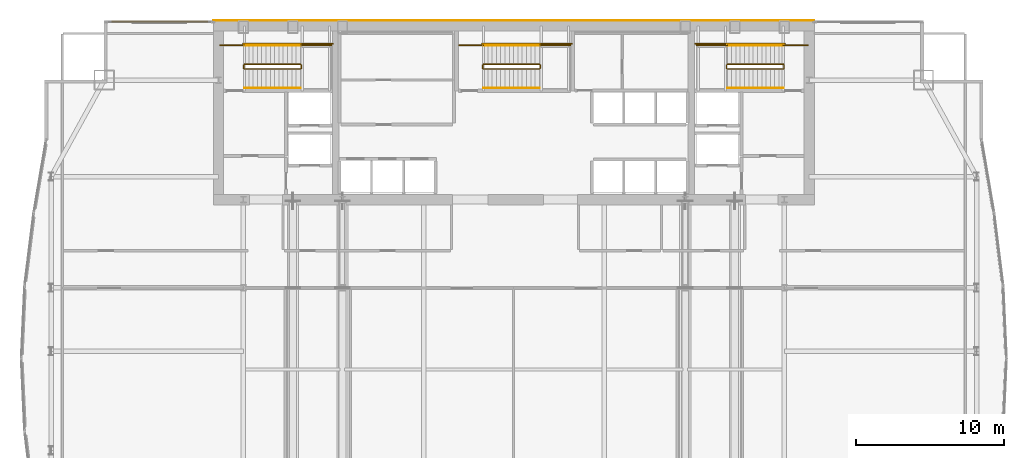
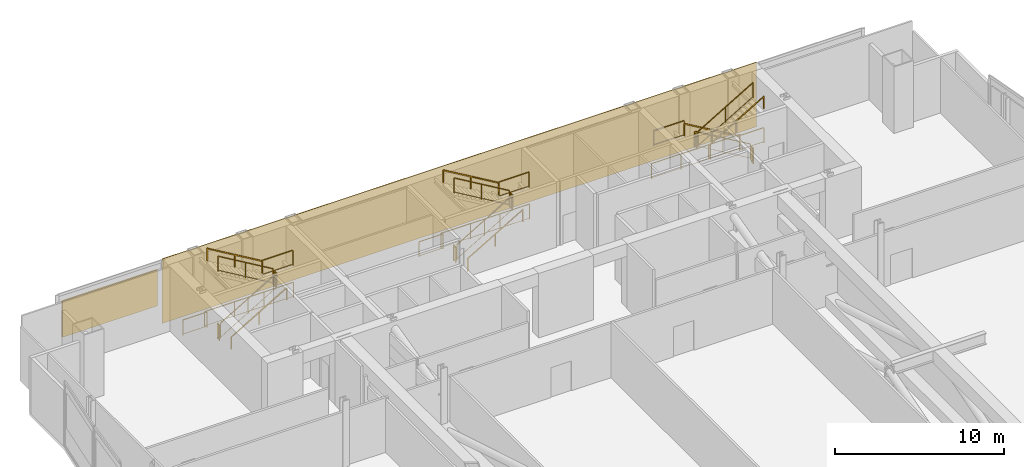
# One storey, part 29 of 30: 27 railings, 1 covering, 1 shading device.
"""IFC4 building model written with IfcOpenShell, lengths in metres."""

from ifc_helpers import new_model, si_unit, direction, frame, origin, origin_2d, place, context, subcontext, project, spatial, polyline, rectangle, outline, extrude, material, layer, layer_set, type_object, element, save


model = new_model("IFC4")

# Units and contexts
model_context = context("Model", 3, precision=1e-05, world=origin(), true_north=direction((0.0, 1.0)))
body_context = subcontext(model_context, "Body", "Model", "MODEL_VIEW")
ifc_project = project(units=[si_unit("LENGTHUNIT", "METRE"), si_unit("AREAUNIT", "SQUARE_METRE"), si_unit("VOLUMEUNIT", "CUBIC_METRE"), si_unit("PLANEANGLEUNIT", "RADIAN"), si_unit("MASSUNIT", "GRAM", prefix="KILO")], contexts=[model_context])

# Site, building, storey
site_placement = place(None, origin())
site = spatial("IfcSite", under=ifc_project, at=site_placement, CompositionType="ELEMENT")
building_placement = place(site_placement, origin())
building = spatial("IfcBuilding", under=site, at=building_placement, Name="Khoronbel Lancet Exchange", CompositionType="ELEMENT")
storey_placement = place(building_placement, frame((0.0, 0.0, 172.199951171875)))
storey = spatial("IfcBuildingStorey", under=building, at=storey_placement, Name="L43", CompositionType="ELEMENT", Elevation=172.199951171875)

# Covering
ifc_material_1 = material(Name="Honed Egyptian Limestone & Bronze Rainscreen", Category="masonry")
ifc_layer_1 = layer(ifc_material_1, 0.050048828125, Name="Honed Egyptian Limestone & Bronze Rainscreen")
ifc_layer_set_1 = layer_set([ifc_layer_1], Name="Honed Egyptian Limestone & Bronze Rainscreen")
covering_type = type_object("IfcCoveringType", Name="COV-CLAD1", PredefinedType="CLADDING", material=ifc_layer_set_1)
covering_placement = place(storey_placement, origin())
element("IfcCovering", 1, at=covering_placement, inside=storey, type_object=covering_type, Name="Level L43 north rear-core stone and bronze rainscreen cladding", PredefinedType="CLADDING", context=body_context, shape_type="SweptSolid", body=[
    extrude(outline(polyline([(16.199951171875, 53.699951171875), (56.699951171875, 53.699951171875), (56.699951171875, 53.75), (16.199951171875, 53.75), (16.199951171875, 53.699951171875)])), origin(), (0.0, 0.0, 1.0), 4.64013671875),
])

# Railings
ifc_material_2 = material(Name="Painted Steel Balustrade", Category="steel")
railing_type_1 = type_object("IfcRailingType", Name="RL-STG110", PredefinedType="GUARDRAIL", material=ifc_material_2)
railing_1_placement = place(storey_placement, frame((18.300048828125, 50.449951171875, 0.17138671875)))
element("IfcRailing", 2, at=railing_1_placement, inside=storey, type_object=railing_type_1, Name="L43 ST1 stair guard 1", PredefinedType="GUARDRAIL", context=body_context, shape_type="SweptSolid", body=[
    extrude(rectangle(XDim=0.048095703125, YDim=0.048095703125, at=origin_2d()), frame((0.0, 0.0, 1.09619140625), z_axis=(0.860824410104, 0.0, 0.508902087802), x_axis=(0.0, 1.0, 0.0)), (0.0, 0.0, 1.0), 4.379638671875),
    extrude(rectangle(XDim=0.02392578125, YDim=0.02392578125, at=origin_2d()), frame((0.0, 0.0, 0.080078125), z_axis=(0.860824410104, 0.0, 0.508902087802), x_axis=(0.0, 1.0, 0.0)), (0.0, 0.0, 1.0), 4.379638671875),
    extrude(rectangle(XDim=0.0419921875, YDim=0.0419921875, at=origin_2d()), origin(), (0.0, 0.0, 1.0), 1.072021484375),
    extrude(rectangle(XDim=0.0419921875, YDim=0.0419921875, at=origin_2d()), frame((1.885009765625, 0.0, 1.1142578125)), (0.0, 0.0, 1.0), 1.072021484375),
    extrude(rectangle(XDim=0.0419921875, YDim=0.0419921875, at=origin_2d()), frame((3.77001953125, 0.0, 2.228759765625)), (0.0, 0.0, 1.0), 1.072021484375),
])
railing_2_placement = place(storey_placement, frame((22.1201171875, 50.5, 2.400146484375)))
element("IfcRailing", 3, at=railing_2_placement, inside=storey, type_object=railing_type_1, Name="L43 ST1 stair guard 2", PredefinedType="GUARDRAIL", context=body_context, shape_type="SweptSolid", body=[
    extrude(rectangle(XDim=0.048095703125, YDim=0.048095703125, at=origin_2d()), frame((0.0, 0.0, 1.09619140625), z_axis=(0.0, 1.0, 0.0), x_axis=(-1.0, 0.0, 0.0)), (0.0, 0.0, 1.0), 0.219970703125),
    extrude(rectangle(XDim=0.02392578125, YDim=0.02392578125, at=origin_2d()), frame((0.0, 0.0, 0.080078125), z_axis=(0.0, 1.0, 0.0), x_axis=(-1.0, 0.0, 0.0)), (0.0, 0.0, 1.0), 0.219970703125),
    extrude(rectangle(XDim=0.0419921875, YDim=0.0419921875, at=origin_2d()), origin(), (0.0, 0.0, 1.0), 1.072021484375),
    extrude(rectangle(XDim=0.0419921875, YDim=0.0419921875, at=origin_2d()), frame((0.0, 0.219970703125, 0.0)), (0.0, 0.0, 1.0), 1.072021484375),
])
railing_3_placement = place(storey_placement, frame((22.070068359375, 52.050048828125, 2.400146484375)))
element("IfcRailing", 4, at=railing_3_placement, inside=storey, type_object=railing_type_1, Name="L43 ST1 stair guard 3", PredefinedType="GUARDRAIL", context=body_context, shape_type="SweptSolid", body=[
    extrude(rectangle(XDim=0.048095703125, YDim=0.048095703125, at=origin_2d()), frame((0.0, 0.0, 1.09619140625), z_axis=(1.0, 0.0, 0.0), x_axis=(0.0, 1.0, 0.0)), (0.0, 0.0, 1.0), 2.079833984375),
    extrude(rectangle(XDim=0.02392578125, YDim=0.02392578125, at=origin_2d()), frame((0.0, 0.0, 0.080078125), z_axis=(1.0, 0.0, 0.0), x_axis=(0.0, 1.0, 0.0)), (0.0, 0.0, 1.0), 2.079833984375),
    extrude(rectangle(XDim=0.0419921875, YDim=0.0419921875, at=origin_2d()), origin(), (0.0, 0.0, 1.0), 1.072021484375),
    extrude(rectangle(XDim=0.0419921875, YDim=0.0419921875, at=origin_2d()), frame((2.079833984375, 0.0, 0.0)), (0.0, 0.0, 1.0), 1.072021484375),
])
railing_4_placement = place(storey_placement, frame((22.070068359375, 50.77001953125, 2.571533203125)))
element("IfcRailing", 5, at=railing_4_placement, inside=storey, type_object=railing_type_1, Name="L43 ST1 stair guard 4", PredefinedType="GUARDRAIL", context=body_context, shape_type="SweptSolid", body=[
    extrude(rectangle(XDim=0.048095703125, YDim=0.048095703125, at=origin_2d()), frame((0.0, 0.0, 1.09619140625), z_axis=(-0.860848830602, 0.0, 0.508860777473), x_axis=(0.0, -1.0, 0.0)), (0.0, 0.0, 1.0), 4.37939453125),
    extrude(rectangle(XDim=0.02392578125, YDim=0.02392578125, at=origin_2d()), frame((0.0, 0.0, 0.080078125), z_axis=(-0.860848830602, 0.0, 0.508860777473), x_axis=(0.0, -1.0, 0.0)), (0.0, 0.0, 1.0), 4.37939453125),
    extrude(rectangle(XDim=0.0419921875, YDim=0.0419921875, at=origin_2d()), origin(), (0.0, 0.0, 1.0), 1.072021484375),
    extrude(rectangle(XDim=0.0419921875, YDim=0.0419921875, at=origin_2d()), frame((-1.885009765625, 0.0, 1.1142578125)), (0.0, 0.0, 1.0), 1.072021484375),
    extrude(rectangle(XDim=0.0419921875, YDim=0.0419921875, at=origin_2d()), frame((-3.77001953125, 0.0, 2.228515625)), (0.0, 0.0, 1.0), 1.072021484375),
])
railing_5_placement = place(storey_placement, frame((18.25, 50.5, 0.0)))
element("IfcRailing", 6, at=railing_5_placement, inside=storey, type_object=railing_type_1, Name="L43 ST1 stair guard 5", PredefinedType="GUARDRAIL", context=body_context, shape_type="SweptSolid", body=[
    extrude(rectangle(XDim=0.048095703125, YDim=0.048095703125, at=origin_2d()), frame((0.0, 0.0, 1.09619140625), z_axis=(0.0, 1.0, 0.0), x_axis=(-1.0, 0.0, 0.0)), (0.0, 0.0, 1.0), 0.219970703125),
    extrude(rectangle(XDim=0.02392578125, YDim=0.02392578125, at=origin_2d()), frame((0.0, 0.0, 0.080078125), z_axis=(0.0, 1.0, 0.0), x_axis=(-1.0, 0.0, 0.0)), (0.0, 0.0, 1.0), 0.219970703125),
    extrude(rectangle(XDim=0.0419921875, YDim=0.0419921875, at=origin_2d()), origin(), (0.0, 0.0, 1.0), 1.072021484375),
    extrude(rectangle(XDim=0.0419921875, YDim=0.0419921875, at=origin_2d()), frame((0.0, 0.219970703125, 0.0)), (0.0, 0.0, 1.0), 1.072021484375),
])
railing_6_placement = place(storey_placement, frame((16.64990234375, 52.050048828125, 0.0)))
element("IfcRailing", 7, at=railing_6_placement, inside=storey, type_object=railing_type_1, Name="L43 ST1 stair guard 6", PredefinedType="GUARDRAIL", context=body_context, shape_type="SweptSolid", body=[
    extrude(rectangle(XDim=0.048095703125, YDim=0.048095703125, at=origin_2d()), frame((0.0, 0.0, 1.09619140625), z_axis=(1.0, 0.0, 0.0), x_axis=(0.0, 1.0, 0.0)), (0.0, 0.0, 1.0), 1.650146484375),
    extrude(rectangle(XDim=0.02392578125, YDim=0.02392578125, at=origin_2d()), frame((0.0, 0.0, 0.080078125), z_axis=(1.0, 0.0, 0.0), x_axis=(0.0, 1.0, 0.0)), (0.0, 0.0, 1.0), 1.650146484375),
    extrude(rectangle(XDim=0.0419921875, YDim=0.0419921875, at=origin_2d()), origin(), (0.0, 0.0, 1.0), 1.072021484375),
    extrude(rectangle(XDim=0.0419921875, YDim=0.0419921875, at=origin_2d()), frame((1.650146484375, 0.0, 0.0)), (0.0, 0.0, 1.0), 1.072021484375),
])
railing_7_placement = place(storey_placement, frame((18.199951171875, 52.14990234375, 0.0)))
element("IfcRailing", 8, at=railing_7_placement, inside=storey, type_object=railing_type_1, Name="L43 ST1 stair guard 7", PredefinedType="GUARDRAIL", context=body_context, shape_type="SweptSolid", body=[
    extrude(rectangle(XDim=0.048095703125, YDim=0.048095703125, at=origin_2d()), frame((0.0, 0.0, 1.09619140625), z_axis=(1.0, 0.0, 0.0), x_axis=(0.0, 1.0, 0.0)), (0.0, 0.0, 1.0), 6.050048828125),
    extrude(rectangle(XDim=0.02392578125, YDim=0.02392578125, at=origin_2d()), frame((0.0, 0.0, 0.080078125), z_axis=(1.0, 0.0, 0.0), x_axis=(0.0, 1.0, 0.0)), (0.0, 0.0, 1.0), 6.050048828125),
    extrude(rectangle(XDim=0.0419921875, YDim=0.0419921875, at=origin_2d()), origin(), (0.0, 0.0, 1.0), 1.072021484375),
    extrude(rectangle(XDim=0.0419921875, YDim=0.0419921875, at=origin_2d()), frame((2.0166015625, 0.0, 0.0)), (0.0, 0.0, 1.0), 1.072021484375),
    extrude(rectangle(XDim=0.0419921875, YDim=0.0419921875, at=origin_2d()), frame((4.033447265625, 0.0, 0.0)), (0.0, 0.0, 1.0), 1.072021484375),
    extrude(rectangle(XDim=0.0419921875, YDim=0.0419921875, at=origin_2d()), frame((6.050048828125, 0.0, 0.0)), (0.0, 0.0, 1.0), 1.072021484375),
])
railing_8_placement = place(storey_placement, frame((54.60009765625, 50.77001953125, 0.17138671875)))
element("IfcRailing", 9, at=railing_8_placement, inside=storey, type_object=railing_type_1, Name="L43 ST2 stair guard 1", PredefinedType="GUARDRAIL", context=body_context, shape_type="SweptSolid", body=[
    extrude(rectangle(XDim=0.048095703125, YDim=0.048095703125, at=origin_2d()), frame((0.0, 0.0, 1.09619140625), z_axis=(-0.860824410104, 0.0, 0.508902087802), x_axis=(0.0, -1.0, 0.0)), (0.0, 0.0, 1.0), 4.379638671875),
    extrude(rectangle(XDim=0.02392578125, YDim=0.02392578125, at=origin_2d()), frame((0.0, 0.0, 0.080078125), z_axis=(-0.860824410104, 0.0, 0.508902087802), x_axis=(0.0, -1.0, 0.0)), (0.0, 0.0, 1.0), 4.379638671875),
    extrude(rectangle(XDim=0.0419921875, YDim=0.0419921875, at=origin_2d()), origin(), (0.0, 0.0, 1.0), 1.072021484375),
    extrude(rectangle(XDim=0.0419921875, YDim=0.0419921875, at=origin_2d()), frame((-1.885009765625, 0.0, 1.1142578125)), (0.0, 0.0, 1.0), 1.072021484375),
    extrude(rectangle(XDim=0.0419921875, YDim=0.0419921875, at=origin_2d()), frame((-3.77001953125, 0.0, 2.228759765625)), (0.0, 0.0, 1.0), 1.072021484375),
])
railing_9_placement = place(storey_placement, frame((50.780029296875, 50.719970703125, 2.400146484375)))
element("IfcRailing", 10, at=railing_9_placement, inside=storey, type_object=railing_type_1, Name="L43 ST2 stair guard 2", PredefinedType="GUARDRAIL", context=body_context, shape_type="SweptSolid", body=[
    extrude(rectangle(XDim=0.048095703125, YDim=0.048095703125, at=origin_2d()), frame((0.0, 0.0, 1.09619140625), z_axis=(0.0, -1.0, 0.0), x_axis=(1.0, 0.0, 0.0)), (0.0, 0.0, 1.0), 0.219970703125),
    extrude(rectangle(XDim=0.02392578125, YDim=0.02392578125, at=origin_2d()), frame((0.0, 0.0, 0.080078125), z_axis=(0.0, -1.0, 0.0), x_axis=(1.0, 0.0, 0.0)), (0.0, 0.0, 1.0), 0.219970703125),
    extrude(rectangle(XDim=0.0419921875, YDim=0.0419921875, at=origin_2d()), origin(), (0.0, 0.0, 1.0), 1.072021484375),
    extrude(rectangle(XDim=0.0419921875, YDim=0.0419921875, at=origin_2d()), frame((0.0, -0.219970703125, 0.0)), (0.0, 0.0, 1.0), 1.072021484375),
])
railing_10_placement = place(storey_placement, frame((50.830078125, 52.050048828125, 2.400146484375)))
element("IfcRailing", 11, at=railing_10_placement, inside=storey, type_object=railing_type_1, Name="L43 ST2 stair guard 3", PredefinedType="GUARDRAIL", context=body_context, shape_type="SweptSolid", body=[
    extrude(rectangle(XDim=0.048095703125, YDim=0.048095703125, at=origin_2d()), frame((0.0, 0.0, 1.09619140625), z_axis=(-1.0, 0.0, 0.0), x_axis=(0.0, -1.0, 0.0)), (0.0, 0.0, 1.0), 2.080078125),
    extrude(rectangle(XDim=0.02392578125, YDim=0.02392578125, at=origin_2d()), frame((0.0, 0.0, 0.080078125), z_axis=(-1.0, 0.0, 0.0), x_axis=(0.0, -1.0, 0.0)), (0.0, 0.0, 1.0), 2.080078125),
    extrude(rectangle(XDim=0.0419921875, YDim=0.0419921875, at=origin_2d()), origin(), (0.0, 0.0, 1.0), 1.072021484375),
    extrude(rectangle(XDim=0.0419921875, YDim=0.0419921875, at=origin_2d()), frame((-2.080078125, 0.0, 0.0)), (0.0, 0.0, 1.0), 1.072021484375),
])
railing_11_placement = place(storey_placement, frame((50.830078125, 50.449951171875, 2.571533203125)))
element("IfcRailing", 12, at=railing_11_placement, inside=storey, type_object=railing_type_1, Name="L43 ST2 stair guard 4", PredefinedType="GUARDRAIL", context=body_context, shape_type="SweptSolid", body=[
    extrude(rectangle(XDim=0.048095703125, YDim=0.048095703125, at=origin_2d()), frame((0.0, 0.0, 1.09619140625), z_axis=(0.860848830602, 0.0, 0.508860777473), x_axis=(0.0, 1.0, 0.0)), (0.0, 0.0, 1.0), 4.37939453125),
    extrude(rectangle(XDim=0.02392578125, YDim=0.02392578125, at=origin_2d()), frame((0.0, 0.0, 0.080078125), z_axis=(0.860848830602, 0.0, 0.508860777473), x_axis=(0.0, 1.0, 0.0)), (0.0, 0.0, 1.0), 4.37939453125),
    extrude(rectangle(XDim=0.0419921875, YDim=0.0419921875, at=origin_2d()), origin(), (0.0, 0.0, 1.0), 1.072021484375),
    extrude(rectangle(XDim=0.0419921875, YDim=0.0419921875, at=origin_2d()), frame((1.885009765625, 0.0, 1.1142578125)), (0.0, 0.0, 1.0), 1.072021484375),
    extrude(rectangle(XDim=0.0419921875, YDim=0.0419921875, at=origin_2d()), frame((3.77001953125, 0.0, 2.228515625)), (0.0, 0.0, 1.0), 1.072021484375),
])
railing_12_placement = place(storey_placement, frame((54.64990234375, 50.719970703125, 0.0)))
element("IfcRailing", 13, at=railing_12_placement, inside=storey, type_object=railing_type_1, Name="L43 ST2 stair guard 5", PredefinedType="GUARDRAIL", context=body_context, shape_type="SweptSolid", body=[
    extrude(rectangle(XDim=0.048095703125, YDim=0.048095703125, at=origin_2d()), frame((0.0, 0.0, 1.09619140625), z_axis=(0.0, -1.0, 0.0), x_axis=(1.0, 0.0, 0.0)), (0.0, 0.0, 1.0), 0.219970703125),
    extrude(rectangle(XDim=0.02392578125, YDim=0.02392578125, at=origin_2d()), frame((0.0, 0.0, 0.080078125), z_axis=(0.0, -1.0, 0.0), x_axis=(1.0, 0.0, 0.0)), (0.0, 0.0, 1.0), 0.219970703125),
    extrude(rectangle(XDim=0.0419921875, YDim=0.0419921875, at=origin_2d()), origin(), (0.0, 0.0, 1.0), 1.072021484375),
    extrude(rectangle(XDim=0.0419921875, YDim=0.0419921875, at=origin_2d()), frame((0.0, -0.219970703125, 0.0)), (0.0, 0.0, 1.0), 1.072021484375),
])
railing_13_placement = place(storey_placement, frame((56.25, 52.050048828125, 0.0)))
element("IfcRailing", 14, at=railing_13_placement, inside=storey, type_object=railing_type_1, Name="L43 ST2 stair guard 6", PredefinedType="GUARDRAIL", context=body_context, shape_type="SweptSolid", body=[
    extrude(rectangle(XDim=0.048095703125, YDim=0.048095703125, at=origin_2d()), frame((0.0, 0.0, 1.09619140625), z_axis=(-1.0, 0.0, 0.0), x_axis=(0.0, -1.0, 0.0)), (0.0, 0.0, 1.0), 1.64990234375),
    extrude(rectangle(XDim=0.02392578125, YDim=0.02392578125, at=origin_2d()), frame((0.0, 0.0, 0.080078125), z_axis=(-1.0, 0.0, 0.0), x_axis=(0.0, -1.0, 0.0)), (0.0, 0.0, 1.0), 1.64990234375),
    extrude(rectangle(XDim=0.0419921875, YDim=0.0419921875, at=origin_2d()), origin(), (0.0, 0.0, 1.0), 1.072021484375),
    extrude(rectangle(XDim=0.0419921875, YDim=0.0419921875, at=origin_2d()), frame((-1.64990234375, 0.0, 0.0)), (0.0, 0.0, 1.0), 1.072021484375),
])
railing_14_placement = place(storey_placement, frame((54.699951171875, 52.14990234375, 0.0)))
element("IfcRailing", 15, at=railing_14_placement, inside=storey, type_object=railing_type_1, Name="L43 ST2 stair guard 7", PredefinedType="GUARDRAIL", context=body_context, shape_type="SweptSolid", body=[
    extrude(rectangle(XDim=0.048095703125, YDim=0.048095703125, at=origin_2d()), frame((0.0, 0.0, 1.09619140625), z_axis=(-1.0, 0.0, 0.0), x_axis=(0.0, -1.0, 0.0)), (0.0, 0.0, 1.0), 6.050048828125),
    extrude(rectangle(XDim=0.02392578125, YDim=0.02392578125, at=origin_2d()), frame((0.0, 0.0, 0.080078125), z_axis=(-1.0, 0.0, 0.0), x_axis=(0.0, -1.0, 0.0)), (0.0, 0.0, 1.0), 6.050048828125),
    extrude(rectangle(XDim=0.0419921875, YDim=0.0419921875, at=origin_2d()), origin(), (0.0, 0.0, 1.0), 1.072021484375),
    extrude(rectangle(XDim=0.0419921875, YDim=0.0419921875, at=origin_2d()), frame((-2.0166015625, 0.0, 0.0)), (0.0, 0.0, 1.0), 1.072021484375),
    extrude(rectangle(XDim=0.0419921875, YDim=0.0419921875, at=origin_2d()), frame((-4.033447265625, 0.0, 0.0)), (0.0, 0.0, 1.0), 1.072021484375),
    extrude(rectangle(XDim=0.0419921875, YDim=0.0419921875, at=origin_2d()), frame((-6.050048828125, 0.0, 0.0)), (0.0, 0.0, 1.0), 1.072021484375),
])
railing_15_placement = place(storey_placement, frame((34.39990234375, 50.449951171875, 0.17138671875)))
element("IfcRailing", 16, at=railing_15_placement, inside=storey, type_object=railing_type_1, Name="L43 ST3 stair guard 1", PredefinedType="GUARDRAIL", context=body_context, shape_type="SweptSolid", body=[
    extrude(rectangle(XDim=0.048095703125, YDim=0.048095703125, at=origin_2d()), frame((0.0, 0.0, 1.09619140625), z_axis=(0.860824410104, 0.0, 0.508902087802), x_axis=(0.0, 1.0, 0.0)), (0.0, 0.0, 1.0), 4.379638671875),
    extrude(rectangle(XDim=0.02392578125, YDim=0.02392578125, at=origin_2d()), frame((0.0, 0.0, 0.080078125), z_axis=(0.860824410104, 0.0, 0.508902087802), x_axis=(0.0, 1.0, 0.0)), (0.0, 0.0, 1.0), 4.379638671875),
    extrude(rectangle(XDim=0.0419921875, YDim=0.0419921875, at=origin_2d()), origin(), (0.0, 0.0, 1.0), 1.072021484375),
    extrude(rectangle(XDim=0.0419921875, YDim=0.0419921875, at=origin_2d()), frame((1.885009765625, 0.0, 1.1142578125)), (0.0, 0.0, 1.0), 1.072021484375),
    extrude(rectangle(XDim=0.0419921875, YDim=0.0419921875, at=origin_2d()), frame((3.77001953125, 0.0, 2.228759765625)), (0.0, 0.0, 1.0), 1.072021484375),
])
railing_16_placement = place(storey_placement, frame((38.219970703125, 50.5, 2.400146484375)))
element("IfcRailing", 17, at=railing_16_placement, inside=storey, type_object=railing_type_1, Name="L43 ST3 stair guard 2", PredefinedType="GUARDRAIL", context=body_context, shape_type="SweptSolid", body=[
    extrude(rectangle(XDim=0.048095703125, YDim=0.048095703125, at=origin_2d()), frame((0.0, 0.0, 1.09619140625), z_axis=(0.0, 1.0, 0.0), x_axis=(-1.0, 0.0, 0.0)), (0.0, 0.0, 1.0), 0.219970703125),
    extrude(rectangle(XDim=0.02392578125, YDim=0.02392578125, at=origin_2d()), frame((0.0, 0.0, 0.080078125), z_axis=(0.0, 1.0, 0.0), x_axis=(-1.0, 0.0, 0.0)), (0.0, 0.0, 1.0), 0.219970703125),
    extrude(rectangle(XDim=0.0419921875, YDim=0.0419921875, at=origin_2d()), origin(), (0.0, 0.0, 1.0), 1.072021484375),
    extrude(rectangle(XDim=0.0419921875, YDim=0.0419921875, at=origin_2d()), frame((0.0, 0.219970703125, 0.0)), (0.0, 0.0, 1.0), 1.072021484375),
])
railing_17_placement = place(storey_placement, frame((38.169921875, 52.050048828125, 2.400146484375)))
element("IfcRailing", 18, at=railing_17_placement, inside=storey, type_object=railing_type_1, Name="L43 ST3 stair guard 3", PredefinedType="GUARDRAIL", context=body_context, shape_type="SweptSolid", body=[
    extrude(rectangle(XDim=0.048095703125, YDim=0.048095703125, at=origin_2d()), frame((0.0, 0.0, 1.09619140625), z_axis=(1.0, 0.0, 0.0), x_axis=(0.0, 1.0, 0.0)), (0.0, 0.0, 1.0), 2.080078125),
    extrude(rectangle(XDim=0.02392578125, YDim=0.02392578125, at=origin_2d()), frame((0.0, 0.0, 0.080078125), z_axis=(1.0, 0.0, 0.0), x_axis=(0.0, 1.0, 0.0)), (0.0, 0.0, 1.0), 2.080078125),
    extrude(rectangle(XDim=0.0419921875, YDim=0.0419921875, at=origin_2d()), origin(), (0.0, 0.0, 1.0), 1.072021484375),
    extrude(rectangle(XDim=0.0419921875, YDim=0.0419921875, at=origin_2d()), frame((2.080078125, 0.0, 0.0)), (0.0, 0.0, 1.0), 1.072021484375),
])
railing_18_placement = place(storey_placement, frame((38.169921875, 50.77001953125, 2.571533203125)))
element("IfcRailing", 19, at=railing_18_placement, inside=storey, type_object=railing_type_1, Name="L43 ST3 stair guard 4", PredefinedType="GUARDRAIL", context=body_context, shape_type="SweptSolid", body=[
    extrude(rectangle(XDim=0.048095703125, YDim=0.048095703125, at=origin_2d()), frame((0.0, 0.0, 1.09619140625), z_axis=(-0.860848830602, 0.0, 0.508860777473), x_axis=(0.0, -1.0, 0.0)), (0.0, 0.0, 1.0), 4.37939453125),
    extrude(rectangle(XDim=0.02392578125, YDim=0.02392578125, at=origin_2d()), frame((0.0, 0.0, 0.080078125), z_axis=(-0.860848830602, 0.0, 0.508860777473), x_axis=(0.0, -1.0, 0.0)), (0.0, 0.0, 1.0), 4.37939453125),
    extrude(rectangle(XDim=0.0419921875, YDim=0.0419921875, at=origin_2d()), origin(), (0.0, 0.0, 1.0), 1.072021484375),
    extrude(rectangle(XDim=0.0419921875, YDim=0.0419921875, at=origin_2d()), frame((-1.885009765625, 0.0, 1.1142578125)), (0.0, 0.0, 1.0), 1.072021484375),
    extrude(rectangle(XDim=0.0419921875, YDim=0.0419921875, at=origin_2d()), frame((-3.77001953125, 0.0, 2.228515625)), (0.0, 0.0, 1.0), 1.072021484375),
])
railing_19_placement = place(storey_placement, frame((34.35009765625, 50.5, 0.0)))
element("IfcRailing", 20, at=railing_19_placement, inside=storey, type_object=railing_type_1, Name="L43 ST3 stair guard 5", PredefinedType="GUARDRAIL", context=body_context, shape_type="SweptSolid", body=[
    extrude(rectangle(XDim=0.048095703125, YDim=0.048095703125, at=origin_2d()), frame((0.0, 0.0, 1.09619140625), z_axis=(0.0, 1.0, 0.0), x_axis=(-1.0, 0.0, 0.0)), (0.0, 0.0, 1.0), 0.219970703125),
    extrude(rectangle(XDim=0.02392578125, YDim=0.02392578125, at=origin_2d()), frame((0.0, 0.0, 0.080078125), z_axis=(0.0, 1.0, 0.0), x_axis=(-1.0, 0.0, 0.0)), (0.0, 0.0, 1.0), 0.219970703125),
    extrude(rectangle(XDim=0.0419921875, YDim=0.0419921875, at=origin_2d()), origin(), (0.0, 0.0, 1.0), 1.072021484375),
    extrude(rectangle(XDim=0.0419921875, YDim=0.0419921875, at=origin_2d()), frame((0.0, 0.219970703125, 0.0)), (0.0, 0.0, 1.0), 1.072021484375),
])
railing_20_placement = place(storey_placement, frame((32.75, 52.050048828125, 0.0)))
element("IfcRailing", 21, at=railing_20_placement, inside=storey, type_object=railing_type_1, Name="L43 ST3 stair guard 6", PredefinedType="GUARDRAIL", context=body_context, shape_type="SweptSolid", body=[
    extrude(rectangle(XDim=0.048095703125, YDim=0.048095703125, at=origin_2d()), frame((0.0, 0.0, 1.09619140625), z_axis=(1.0, 0.0, 0.0), x_axis=(0.0, 1.0, 0.0)), (0.0, 0.0, 1.0), 1.64990234375),
    extrude(rectangle(XDim=0.02392578125, YDim=0.02392578125, at=origin_2d()), frame((0.0, 0.0, 0.080078125), z_axis=(1.0, 0.0, 0.0), x_axis=(0.0, 1.0, 0.0)), (0.0, 0.0, 1.0), 1.64990234375),
    extrude(rectangle(XDim=0.0419921875, YDim=0.0419921875, at=origin_2d()), origin(), (0.0, 0.0, 1.0), 1.072021484375),
    extrude(rectangle(XDim=0.0419921875, YDim=0.0419921875, at=origin_2d()), frame((1.64990234375, 0.0, 0.0)), (0.0, 0.0, 1.0), 1.072021484375),
])
railing_21_placement = place(storey_placement, frame((34.300048828125, 52.14990234375, 0.0)))
element("IfcRailing", 22, at=railing_21_placement, inside=storey, type_object=railing_type_1, Name="L43 ST3 stair guard 7", PredefinedType="GUARDRAIL", context=body_context, shape_type="SweptSolid", body=[
    extrude(rectangle(XDim=0.048095703125, YDim=0.048095703125, at=origin_2d()), frame((0.0, 0.0, 1.09619140625), z_axis=(1.0, 0.0, 0.0), x_axis=(0.0, 1.0, 0.0)), (0.0, 0.0, 1.0), 6.050048828125),
    extrude(rectangle(XDim=0.02392578125, YDim=0.02392578125, at=origin_2d()), frame((0.0, 0.0, 0.080078125), z_axis=(1.0, 0.0, 0.0), x_axis=(0.0, 1.0, 0.0)), (0.0, 0.0, 1.0), 6.050048828125),
    extrude(rectangle(XDim=0.0419921875, YDim=0.0419921875, at=origin_2d()), origin(), (0.0, 0.0, 1.0), 1.072021484375),
    extrude(rectangle(XDim=0.0419921875, YDim=0.0419921875, at=origin_2d()), frame((2.0166015625, 0.0, 0.0)), (0.0, 0.0, 1.0), 1.072021484375),
    extrude(rectangle(XDim=0.0419921875, YDim=0.0419921875, at=origin_2d()), frame((4.033447265625, 0.0, 0.0)), (0.0, 0.0, 1.0), 1.072021484375),
    extrude(rectangle(XDim=0.0419921875, YDim=0.0419921875, at=origin_2d()), frame((6.050048828125, 0.0, 0.0)), (0.0, 0.0, 1.0), 1.072021484375),
])
ifc_material_3 = material(Name="Brushed Stainless Steel 316", Category="steel")
railing_type_2 = type_object("IfcRailingType", Name="RL-STH92", PredefinedType="HANDRAIL", material=ifc_material_3)
railing_22_placement = place(storey_placement, frame((18.300048828125, 49.169921875, 0.17138671875)))
element("IfcRailing", 23, at=railing_22_placement, inside=storey, type_object=railing_type_2, Name="L43 ST1 stair handrail 1", PredefinedType="HANDRAIL", context=body_context, shape_type="SweptSolid", body=[
    extrude(rectangle(XDim=0.048095703125, YDim=0.048095703125, at=origin_2d()), frame((0.0, 0.0, 0.8759765625), z_axis=(0.860824410104, 0.0, 0.508902087802), x_axis=(0.0, 1.0, 0.0)), (0.0, 0.0, 1.0), 4.379638671875),
    extrude(rectangle(XDim=0.0419921875, YDim=0.0419921875, at=origin_2d()), origin(), (0.0, 0.0, 1.0), 0.851806640625),
    extrude(rectangle(XDim=0.0419921875, YDim=0.0419921875, at=origin_2d()), frame((1.885009765625, 0.0, 1.1142578125)), (0.0, 0.0, 1.0), 0.851806640625),
    extrude(rectangle(XDim=0.0419921875, YDim=0.0419921875, at=origin_2d()), frame((3.77001953125, 0.0, 2.228759765625)), (0.0, 0.0, 1.0), 0.851806640625),
])
railing_23_placement = place(storey_placement, frame((22.070068359375, 52.050048828125, 2.571533203125)))
element("IfcRailing", 24, at=railing_23_placement, inside=storey, type_object=railing_type_2, Name="L43 ST1 stair handrail 2", PredefinedType="HANDRAIL", context=body_context, shape_type="SweptSolid", body=[
    extrude(rectangle(XDim=0.048095703125, YDim=0.048095703125, at=origin_2d()), frame((0.0, 0.0, 0.8759765625), z_axis=(-0.860848830602, 0.0, 0.508860777473), x_axis=(0.0, -1.0, 0.0)), (0.0, 0.0, 1.0), 4.37939453125),
    extrude(rectangle(XDim=0.0419921875, YDim=0.0419921875, at=origin_2d()), origin(), (0.0, 0.0, 1.0), 0.851806640625),
    extrude(rectangle(XDim=0.0419921875, YDim=0.0419921875, at=origin_2d()), frame((-1.885009765625, 0.0, 1.1142578125)), (0.0, 0.0, 1.0), 0.851806640625),
    extrude(rectangle(XDim=0.0419921875, YDim=0.0419921875, at=origin_2d()), frame((-3.77001953125, 0.0, 2.228515625)), (0.0, 0.0, 1.0), 0.851806640625),
])
railing_24_placement = place(storey_placement, frame((54.60009765625, 52.050048828125, 0.17138671875)))
element("IfcRailing", 25, at=railing_24_placement, inside=storey, type_object=railing_type_2, Name="L43 ST2 stair handrail 1", PredefinedType="HANDRAIL", context=body_context, shape_type="SweptSolid", body=[
    extrude(rectangle(XDim=0.048095703125, YDim=0.048095703125, at=origin_2d()), frame((0.0, 0.0, 0.8759765625), z_axis=(-0.860824410104, 0.0, 0.508902087802), x_axis=(0.0, -1.0, 0.0)), (0.0, 0.0, 1.0), 4.379638671875),
    extrude(rectangle(XDim=0.0419921875, YDim=0.0419921875, at=origin_2d()), origin(), (0.0, 0.0, 1.0), 0.851806640625),
    extrude(rectangle(XDim=0.0419921875, YDim=0.0419921875, at=origin_2d()), frame((-1.885009765625, 0.0, 1.1142578125)), (0.0, 0.0, 1.0), 0.851806640625),
    extrude(rectangle(XDim=0.0419921875, YDim=0.0419921875, at=origin_2d()), frame((-3.77001953125, 0.0, 2.228759765625)), (0.0, 0.0, 1.0), 0.851806640625),
])
railing_25_placement = place(storey_placement, frame((50.830078125, 49.169921875, 2.571533203125)))
element("IfcRailing", 26, at=railing_25_placement, inside=storey, type_object=railing_type_2, Name="L43 ST2 stair handrail 2", PredefinedType="HANDRAIL", context=body_context, shape_type="SweptSolid", body=[
    extrude(rectangle(XDim=0.048095703125, YDim=0.048095703125, at=origin_2d()), frame((0.0, 0.0, 0.8759765625), z_axis=(0.860848830602, 0.0, 0.508860777473), x_axis=(0.0, 1.0, 0.0)), (0.0, 0.0, 1.0), 4.37939453125),
    extrude(rectangle(XDim=0.0419921875, YDim=0.0419921875, at=origin_2d()), origin(), (0.0, 0.0, 1.0), 0.851806640625),
    extrude(rectangle(XDim=0.0419921875, YDim=0.0419921875, at=origin_2d()), frame((1.885009765625, 0.0, 1.1142578125)), (0.0, 0.0, 1.0), 0.851806640625),
    extrude(rectangle(XDim=0.0419921875, YDim=0.0419921875, at=origin_2d()), frame((3.77001953125, 0.0, 2.228515625)), (0.0, 0.0, 1.0), 0.851806640625),
])
railing_26_placement = place(storey_placement, frame((34.39990234375, 49.169921875, 0.17138671875)))
element("IfcRailing", 27, at=railing_26_placement, inside=storey, type_object=railing_type_2, Name="L43 ST3 stair handrail 1", PredefinedType="HANDRAIL", context=body_context, shape_type="SweptSolid", body=[
    extrude(rectangle(XDim=0.048095703125, YDim=0.048095703125, at=origin_2d()), frame((0.0, 0.0, 0.8759765625), z_axis=(0.860824410104, 0.0, 0.508902087802), x_axis=(0.0, 1.0, 0.0)), (0.0, 0.0, 1.0), 4.379638671875),
    extrude(rectangle(XDim=0.0419921875, YDim=0.0419921875, at=origin_2d()), origin(), (0.0, 0.0, 1.0), 0.851806640625),
    extrude(rectangle(XDim=0.0419921875, YDim=0.0419921875, at=origin_2d()), frame((1.885009765625, 0.0, 1.1142578125)), (0.0, 0.0, 1.0), 0.851806640625),
    extrude(rectangle(XDim=0.0419921875, YDim=0.0419921875, at=origin_2d()), frame((3.77001953125, 0.0, 2.228759765625)), (0.0, 0.0, 1.0), 0.851806640625),
])
railing_27_placement = place(storey_placement, frame((38.169921875, 52.050048828125, 2.571533203125)))
element("IfcRailing", 28, at=railing_27_placement, inside=storey, type_object=railing_type_2, Name="L43 ST3 stair handrail 2", PredefinedType="HANDRAIL", context=body_context, shape_type="SweptSolid", body=[
    extrude(rectangle(XDim=0.048095703125, YDim=0.048095703125, at=origin_2d()), frame((0.0, 0.0, 0.8759765625), z_axis=(-0.860848830602, 0.0, 0.508860777473), x_axis=(0.0, -1.0, 0.0)), (0.0, 0.0, 1.0), 4.37939453125),
    extrude(rectangle(XDim=0.0419921875, YDim=0.0419921875, at=origin_2d()), origin(), (0.0, 0.0, 1.0), 0.851806640625),
    extrude(rectangle(XDim=0.0419921875, YDim=0.0419921875, at=origin_2d()), frame((-1.885009765625, 0.0, 1.1142578125)), (0.0, 0.0, 1.0), 0.851806640625),
    extrude(rectangle(XDim=0.0419921875, YDim=0.0419921875, at=origin_2d()), frame((-3.77001953125, 0.0, 2.228515625)), (0.0, 0.0, 1.0), 0.851806640625),
])

# Shading device
ifc_material_4 = material(Name="Bronze-Anodised Aluminium 6063-T6", Category="aluminium")
ifc_layer_2 = layer(ifc_material_4, 0.1201171875, Name="Bronze-Anodised Aluminium 6063-T6")
ifc_layer_set_2 = layer_set([ifc_layer_2], Name="Bronze-Anodised Aluminium 6063-T6")
shading_device_type = type_object("IfcShadingDeviceType", Name="SHD-LVR1", PredefinedType="JALOUSIE", material=ifc_layer_set_2)
shading_device_placement = place(storey_placement, frame((12.580078125, 53.64990234375, 1.47119140625), z_axis=(0.0, 0.0, 1.0), x_axis=(-1.0, 0.0, 0.0)))
element("IfcShadingDevice", 29, at=shading_device_placement, inside=storey, type_object=shading_device_type, Name="Sand-trap bronze acoustic louvre CW-L43-NWFLK-1", PredefinedType="JALOUSIE", context=body_context, shape_type="SweptSolid", body=[
    extrude(rectangle(XDim=6.470947265625, YDim=0.1201171875, at=origin_2d()), origin(), (0.0, 0.0, 1.0), 2.57763671875),
])

save(model, "model.ifc")
